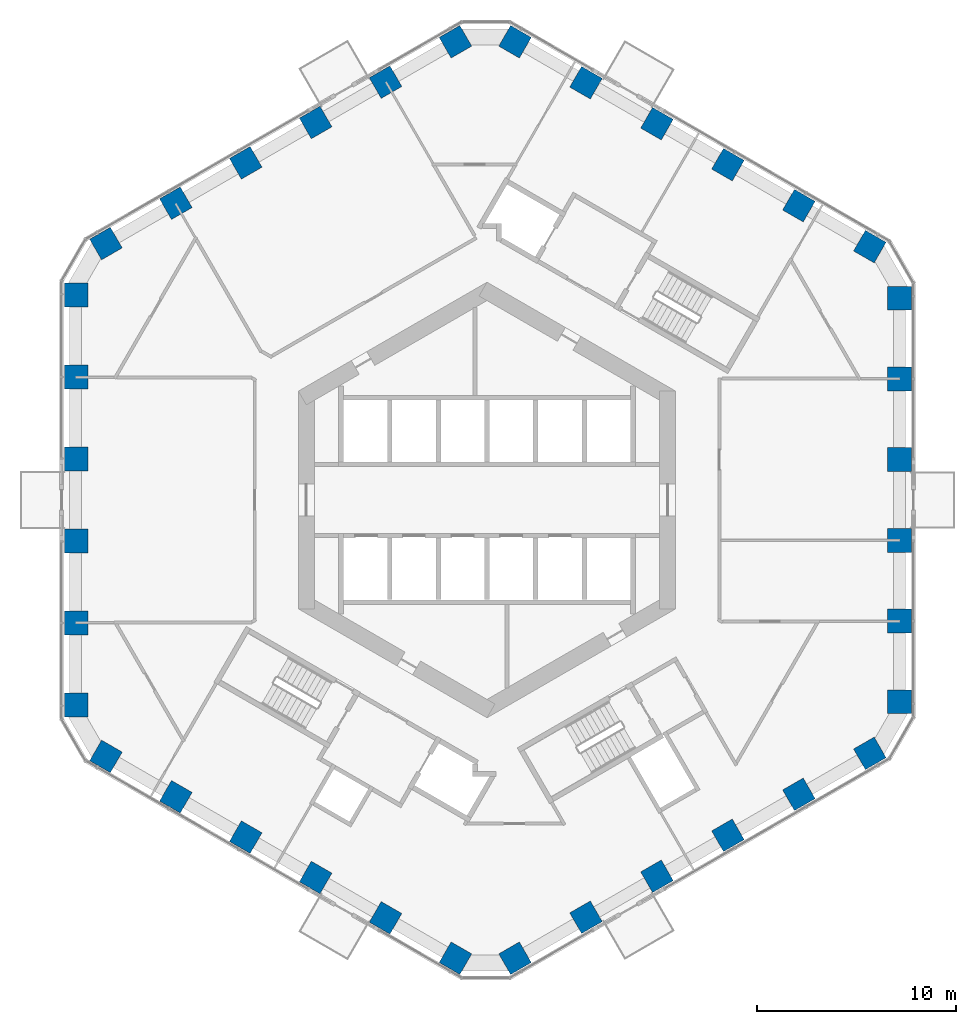
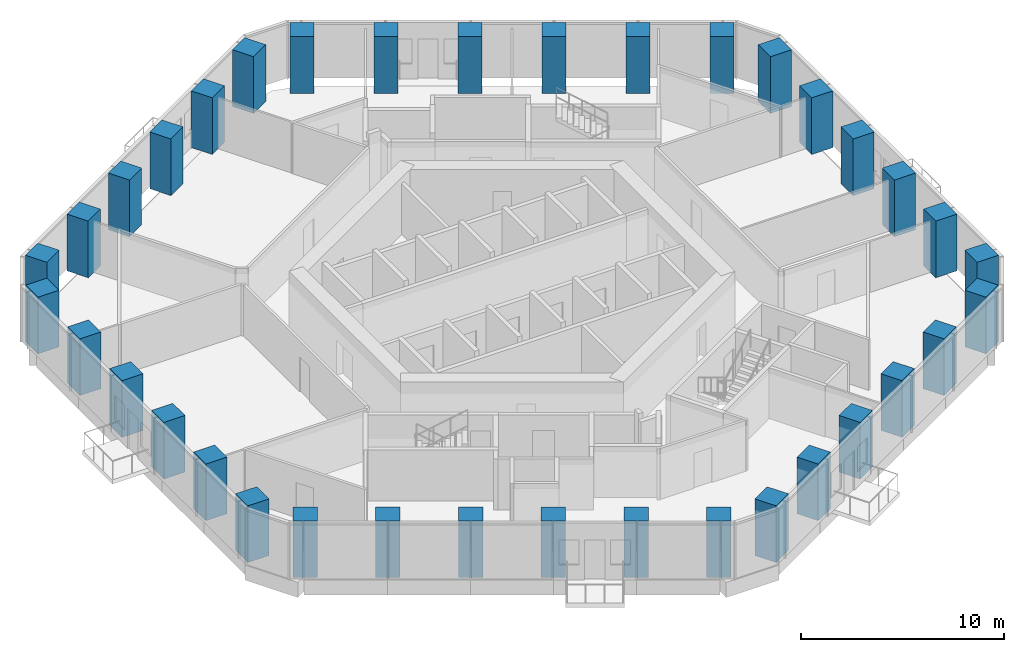
# One storey, part 1 of 20: 36 columns.
"""IFC4 building model written with IfcOpenShell, lengths in metres."""

from ifc_helpers import new_model, si_unit, direction, frame, origin, origin_2d, place, context, subcontext, project, spatial, rectangle, extrude, material, material_profile, profile_set, type_object, element, save


model = new_model("IFC4")

# Units and contexts
model_context = context("Model", 3, precision=1e-05, world=origin(), true_north=direction((0.0, 1.0)))
body_context = subcontext(model_context, "Body", "Model", "MODEL_VIEW")
ifc_project = project(units=[si_unit("LENGTHUNIT", "METRE"), si_unit("AREAUNIT", "SQUARE_METRE"), si_unit("VOLUMEUNIT", "CUBIC_METRE"), si_unit("PLANEANGLEUNIT", "RADIAN"), si_unit("MASSUNIT", "GRAM", prefix="KILO")], contexts=[model_context])

# Site, building, storey
site_placement = place(None, origin())
site = spatial("IfcSite", under=ifc_project, at=site_placement, CompositionType="ELEMENT")
building_placement = place(site_placement, origin())
building = spatial("IfcBuilding", under=site, at=building_placement, Name="Ayvan Gate Tower", CompositionType="ELEMENT")
storey_placement = place(building_placement, frame((0.0, 0.0, 28.89990234375)))
storey = spatial("IfcBuildingStorey", under=building, at=storey_placement, Name="L06", CompositionType="ELEMENT", Elevation=28.89990234375)

# Columns
ifc_material = material(Name="Concrete C70/85", Category="concrete")
ifc_material_profile = material_profile(ifc_material, rectangle(XDim=1.199951171875, YDim=1.199951171875, at=origin_2d()), Name="RC 1200x1200")
ifc_profile_set = profile_set([ifc_material_profile], Name="Concrete C70/85")
column_type = type_object("IfcColumnType", Name="Tube column RC 1200x1200 C70/85", PredefinedType="COLUMN", material=ifc_profile_set)
for number, where, z_axis, x_axis, name in (
    (1, (20.78466796875, -10.1650390625, 0.0), (0.0, 0.0, 1.0), (1.0, 0.0, 0.0), "C-T0-0-L06"),
    (2, (20.78466796875, -6.09912109375, 0.0), (0.0, 0.0, 1.0), (1.0, 0.0, 0.0), "C-T0-1-L06"),
    (3, (20.78466796875, -2.032958984375, 0.0), (0.0, 0.0, 1.0), (1.0, 0.0, 0.0), "C-T0-2-L06"),
    (4, (20.78466796875, 2.032958984375, 0.0), (0.0, 0.0, 1.0), (1.0, 0.0, 0.0), "C-T0-3-L06"),
    (5, (20.78466796875, 6.09912109375, 0.0), (0.0, 0.0, 1.0), (1.0, 0.0, 0.0), "C-T0-4-L06"),
    (6, (20.78466796875, 10.1650390625, 0.0), (0.0, 0.0, 1.0), (1.0, 0.0, 0.0), "C-T0-5-L06"),
    (7, (19.28466796875, 12.76318359375, 0.0), (0.0, 0.0, 1.0), (0.5, 0.866025403784, 0.0), "C-T1-0-L06"),
    (8, (15.7099609375, 14.8271484375, 0.0), (0.0, 0.0, 1.0), (0.5, 0.866025403784, 0.0), "C-T1-1-L06"),
    (9, (12.13525390625, 16.890869140625, 0.0), (0.0, 0.0, 1.0), (0.5, 0.866025403784, 0.0), "C-T1-2-L06"),
    (10, (8.560546875, 18.954833984375, 0.0), (0.0, 0.0, 1.0), (0.5, 0.866025403784, 0.0), "C-T1-3-L06"),
    (11, (4.985595703125, 21.018798828125, 0.0), (0.0, 0.0, 1.0), (0.5, 0.866025403784, 0.0), "C-T1-4-L06"),
    (12, (1.410888671875, 23.08251953125, 0.0), (0.0, 0.0, 1.0), (0.5, 0.866025403784, 0.0), "C-T1-5-L06"),
    (13, (-1.589111328125, 23.08251953125, 0.0), (0.0, 0.0, 1.0), (-0.5, 0.866025403784, 0.0), "C-T2-0-L06"),
    (14, (-5.1103515625, 21.049560546875, 0.0), (0.0, 0.0, 1.0), (-0.5, 0.866025403784, 0.0), "C-T2-1-L06"),
    (15, (-8.631591796875, 19.0166015625, 0.0), (0.0, 0.0, 1.0), (-0.5, 0.866025403784, 0.0), "C-T2-2-L06"),
    (16, (-12.153076171875, 16.9833984375, 0.0), (0.0, 0.0, 1.0), (-0.5, 0.866025403784, 0.0), "C-T2-3-L06"),
    (17, (-15.67431640625, 14.950439453125, 0.0), (0.0, 0.0, 1.0), (-0.5, 0.866025403784, 0.0), "C-T2-4-L06"),
    (18, (-19.195556640625, 12.91748046875, 0.0), (0.0, 0.0, 1.0), (-0.5, 0.866025403784, 0.0), "C-T2-5-L06"),
    (19, (-20.695556640625, 10.3193359375, 0.0), (0.0, 0.0, 1.0), (-1.0, 0.0, 0.0), "C-T3-0-L06"),
    (20, (-20.695556640625, 6.191650390625, 0.0), (0.0, 0.0, 1.0), (-1.0, 0.0, 0.0), "C-T3-1-L06"),
    (21, (-20.695556640625, 2.06396484375, 0.0), (0.0, 0.0, 1.0), (-1.0, 0.0, 0.0), "C-T3-2-L06"),
    (22, (-20.695556640625, -2.06396484375, 0.0), (0.0, 0.0, 1.0), (-1.0, 0.0, 0.0), "C-T3-3-L06"),
    (23, (-20.695556640625, -6.191650390625, 0.0), (0.0, 0.0, 1.0), (-1.0, 0.0, 0.0), "C-T3-4-L06"),
    (24, (-20.695556640625, -10.3193359375, 0.0), (0.0, 0.0, 1.0), (-1.0, 0.0, 0.0), "C-T3-5-L06"),
    (25, (-19.195556640625, -12.91748046875, 0.0), (0.0, 0.0, 1.0), (-0.5, -0.866025403784, 0.0), "C-T4-0-L06"),
    (26, (-15.67431640625, -14.950439453125, 0.0), (0.0, 0.0, 1.0), (-0.5, -0.866025403784, 0.0), "C-T4-1-L06"),
    (27, (-12.153076171875, -16.9833984375, 0.0), (0.0, 0.0, 1.0), (-0.5, -0.866025403784, 0.0), "C-T4-2-L06"),
    (28, (-8.631591796875, -19.0166015625, 0.0), (0.0, 0.0, 1.0), (-0.5, -0.866025403784, 0.0), "C-T4-3-L06"),
    (29, (-5.1103515625, -21.049560546875, 0.0), (0.0, 0.0, 1.0), (-0.5, -0.866025403784, 0.0), "C-T4-4-L06"),
    (30, (-1.589111328125, -23.08251953125, 0.0), (0.0, 0.0, 1.0), (-0.5, -0.866025403784, 0.0), "C-T4-5-L06"),
    (31, (1.410888671875, -23.08251953125, 0.0), (0.0, 0.0, 1.0), (0.5, -0.866025403784, 0.0), "C-T5-0-L06"),
    (32, (4.985595703125, -21.018798828125, 0.0), (0.0, 0.0, 1.0), (0.5, -0.866025403784, 0.0), "C-T5-1-L06"),
    (33, (8.560546875, -18.954833984375, 0.0), (0.0, 0.0, 1.0), (0.5, -0.866025403784, 0.0), "C-T5-2-L06"),
    (34, (12.13525390625, -16.890869140625, 0.0), (0.0, 0.0, 1.0), (0.5, -0.866025403784, 0.0), "C-T5-3-L06"),
    (35, (15.7099609375, -14.8271484375, 0.0), (0.0, 0.0, 1.0), (0.5, -0.866025403784, 0.0), "C-T5-4-L06"),
    (36, (19.28466796875, -12.76318359375, 0.0), (0.0, 0.0, 1.0), (0.5, -0.866025403784, 0.0), "C-T5-5-L06"),
):
    element("IfcColumn", number, at=place(storey_placement, frame(where, z_axis=z_axis, x_axis=x_axis)), inside=storey, type_object=column_type, Name=name, PredefinedType="COLUMN", context=body_context, shape_type="SweptSolid", body=[
        extrude(rectangle(XDim=1.199951171875, YDim=1.199951171875, at=origin_2d()), origin(), (0.0, 0.0, 1.0), 3.400146484375),
    ])

save(model, "model.ifc")
